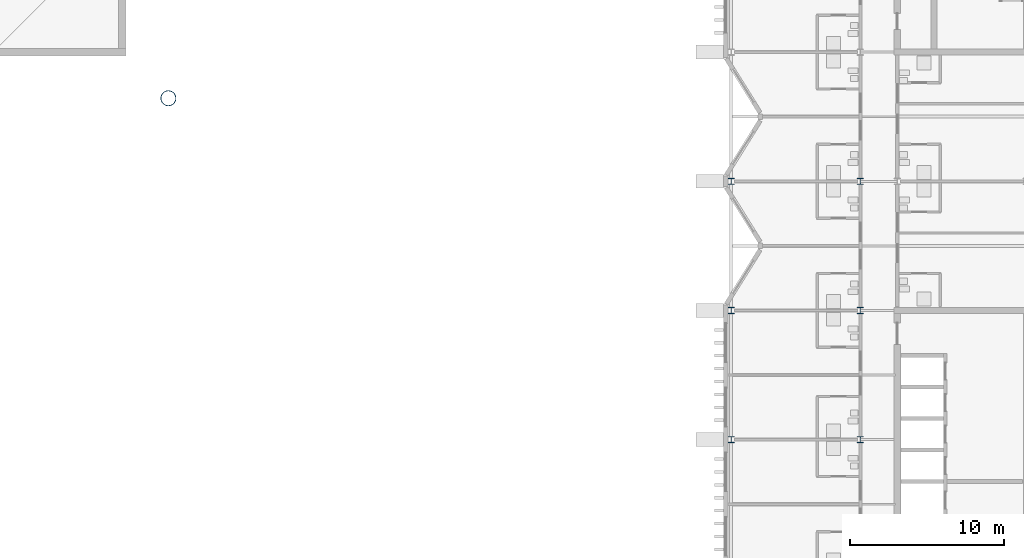
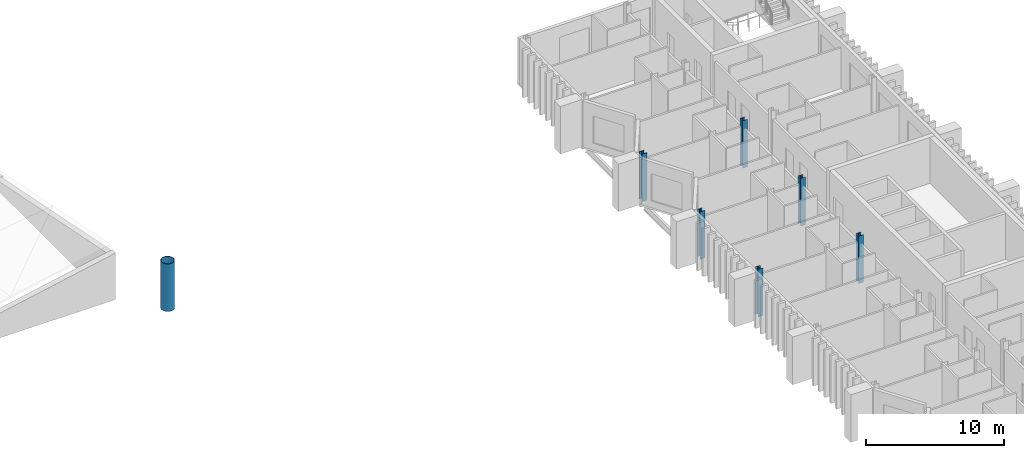
# One storey, part 3 of 17: 7 columns.
"""IFC4 building model written with IfcOpenShell, lengths in metres."""

import ifcopenshell
import ifcopenshell.guid

model = None  # the IFC model being written
_history = None  # IfcOwnerHistory: only IFC2X3 demands one
_inside = {}  # id of a spatial element -> (the spatial element, [elements in it])
_under = {}  # id of a project, library or spatial element -> (it, [spatial elements below it])
_declared = {}  # id of a project -> (the project, [libraries it declares])
_typed = {}  # id of a type object -> (the type object, [elements of that type])
_made_of = {}  # id of a material, layer set ... -> (it, [elements and type objects made of it])


def new_model(schema):
    """Start an empty IFC model of exactly this schema.

    Asked for "IFC4X3", IfcOpenShell would pick the latest addendum, in which some entities
    have other attributes; the version numbers below select the first issue.
    IFC2X3 requires an IfcOwnerHistory on every rooted entity: one is made here for all.
    """
    global model, _history
    if schema == "IFC4X3":
        model = ifcopenshell.file(schema_version=(4, 3, 0, 0))
    else:
        model = ifcopenshell.file(schema=schema)
    _inside.clear()
    _under.clear()
    _declared.clear()
    _typed.clear()
    _made_of.clear()
    _history = None
    if model.schema == "IFC2X3":
        org = make("IfcOrganization", Name="unknown")
        user = make(
            "IfcPersonAndOrganization",
            ThePerson=make("IfcPerson", FamilyName="unknown"),
            TheOrganization=org,
        )
        app = make(
            "IfcApplication",
            ApplicationDeveloper=org,
            Version="unknown",
            ApplicationFullName="unknown",
            ApplicationIdentifier="unknown",
        )
        _history = make(
            "IfcOwnerHistory",
            OwningUser=user,
            OwningApplication=app,
            ChangeAction="ADDED",
            CreationDate=0,
        )
    return model


def make(cls, **values):
    """One entity of the class cls with the attributes given. An attribute that is None is left unset."""
    return model.create_entity(
        cls, **{name: value for name, value in values.items() if value is not None}
    )


def rooted(cls, **values):
    """An entity with a GlobalId (a new one), such as an element, a storey or a relation."""
    return make(cls, GlobalId=ifcopenshell.guid.new(), OwnerHistory=_history, **values)


def si_unit(unit_type, name, prefix=None):
    """IfcSIUnit, for example si_unit("LENGTHUNIT", "METRE", prefix="MILLI")."""
    return make("IfcSIUnit", UnitType=unit_type, Prefix=prefix, Name=name)


def assignment(units):
    """IfcUnitAssignment: the units of a project."""
    return None if units is None else make("IfcUnitAssignment", Units=units)


def point(xyz):
    """IfcCartesianPoint."""
    return None if xyz is None else make("IfcCartesianPoint", Coordinates=xyz)


def direction(xyz):
    """IfcDirection."""
    return None if xyz is None else make("IfcDirection", DirectionRatios=xyz)


def frame(location, z_axis=None, x_axis=None):
    """IfcAxis2Placement3D, a coordinate frame: its origin and axes. An axis left out is left unset."""
    return make(
        "IfcAxis2Placement3D",
        Location=point(location),
        Axis=direction(z_axis),
        RefDirection=direction(x_axis),
    )


def frame_2d(location, x_axis=None):
    """IfcAxis2Placement2D, a coordinate frame in the plane: its origin and x axis."""
    return make(
        "IfcAxis2Placement2D", Location=point(location), RefDirection=direction(x_axis)
    )


def origin():
    """The frame at (0, 0, 0) with its axes left unset."""
    return frame((0.0, 0.0, 0.0))


def origin_2d():
    """The frame at (0, 0) in the plane with its x axis left unset."""
    return frame_2d((0.0, 0.0))


def place(relative_to, where):
    """IfcLocalPlacement: puts the frame where relative to a parent placement (None: the world)."""
    return make(
        "IfcLocalPlacement", PlacementRelTo=relative_to, RelativePlacement=where
    )


def context(
    kind, dimensions, precision=None, world=None, true_north=None, identifier=None
):
    """IfcGeometricRepresentationContext, for example the 3D "Model" context."""
    return make(
        "IfcGeometricRepresentationContext",
        ContextIdentifier=identifier,
        ContextType=kind,
        CoordinateSpaceDimension=dimensions,
        Precision=precision,
        WorldCoordinateSystem=world,
        TrueNorth=true_north,
    )


def subcontext(parent, identifier, kind, view, scale=None):
    """IfcGeometricRepresentationSubContext, for example "Body" below "Model"."""
    return make(
        "IfcGeometricRepresentationSubContext",
        ContextIdentifier=identifier,
        ContextType=kind,
        ParentContext=parent,
        TargetScale=scale,
        TargetView=view,
    )


def project(units=None, contexts=None):
    """IfcProject with its units and contexts."""
    return rooted(
        "IfcProject",
        Name="project",
        RepresentationContexts=contexts,
        UnitsInContext=assignment(units),
    )


def spatial(cls, under=None, at=None, **own):
    """A site, building, storey or space (cls), placed at a placement, below another one or the project."""
    s = rooted(cls, ObjectPlacement=at, **own)
    if under is not None:
        _under.setdefault(under.id(), (under, []))[1].append(s)
    return s


def profile(cls, at=None, kind="AREA", **sizes):
    """A parametric profile (cls). Its sizes go by their IFC names, for example OverallWidth=200.0."""
    return make(cls, ProfileType=kind, Position=at, **sizes)


def hollow_circle(**sizes):
    """IfcCircleHollowProfileDef."""
    return profile("IfcCircleHollowProfileDef", **sizes)


def i_section(**sizes):
    """IfcIShapeProfileDef."""
    return profile("IfcIShapeProfileDef", **sizes)


def extrude(swept, where, along, depth):
    """IfcExtrudedAreaSolid: the profile swept, set in the frame where, extruded along a direction by depth."""
    return make(
        "IfcExtrudedAreaSolid",
        SweptArea=swept,
        Position=where,
        ExtrudedDirection=direction(along),
        Depth=depth,
    )


def shape(context_of_items, identifier, shape_type, items):
    """IfcShapeRepresentation: the items that make up one representation, for example the "Body"."""
    return make(
        "IfcShapeRepresentation",
        ContextOfItems=context_of_items,
        RepresentationIdentifier=identifier,
        RepresentationType=shape_type,
        Items=items,
    )


def material(Name=None, Category=None):
    """IfcMaterial."""
    return make("IfcMaterial", Name=Name, Category=Category)


def material_profile(
    of_material, cross_section, Name=None, Category=None, Priority=None
):
    """IfcMaterialProfile: a cross section and its material."""
    return make(
        "IfcMaterialProfile",
        Name=Name,
        Material=of_material,
        Profile=cross_section,
        Priority=Priority,
        Category=Category,
    )


def profile_set(profiles, Name=None, composite=None):
    """IfcMaterialProfileSet."""
    return make(
        "IfcMaterialProfileSet",
        Name=Name,
        MaterialProfiles=profiles,
        CompositeProfile=composite,
    )


def made_of(thing, what):
    """Note that an element or type object is made of a material, layer set ...; save() writes the relation."""
    if what is not None:
        _made_of.setdefault(what.id(), (what, []))[1].append(thing)
    return thing


def type_object(cls, material=None, **own):
    """A type object (cls), such as IfcWallType, which elements share."""
    return made_of(rooted(cls, **own), material)


def element(
    cls,
    number,
    at=None,
    inside=None,
    cuts=None,
    type_object=None,
    material=None,
    context=None,
    identifier="Body",
    shape_type=None,
    held_by="IfcProductDefinitionShape",
    body=None,
    shapes=None,
    **own,
):
    """One element of the class cls, such as IfcWall. Its Tag is "e" and its number.

    at: its placement. inside: the storey or other place that contains it. cuts: it is an
    opening in that element (IfcRelVoidsElement). A single representation is given by context,
    identifier, shape_type and body (its items); several are given by shapes. held_by: the class
    of the entity that holds the representations. save() writes the other relations.
    """
    e = rooted(cls, Tag="e%d" % number, ObjectPlacement=at, **own)
    if body is not None:
        shapes = [shape(context, identifier, shape_type, body)]
    if shapes is not None:
        e.Representation = make(held_by, Representations=shapes)
    if inside is not None:
        _inside.setdefault(inside.id(), (inside, []))[1].append(e)
    if cuts is not None:
        rooted(
            "IfcRelVoidsElement", RelatingBuildingElement=cuts, RelatedOpeningElement=e
        )
    if type_object is not None:
        _typed.setdefault(type_object.id(), (type_object, []))[1].append(e)
    return made_of(e, material)


def aggregate(whole, parts):
    """IfcRelAggregates: a whole, such as a stair, and the parts it consists of."""
    return rooted("IfcRelAggregates", RelatingObject=whole, RelatedObjects=parts)


def save(model, path):
    """Write the relations noted so far, then the file.

    IfcRelAggregates (storeys below a building ...), IfcRelContainedInSpatialStructure (elements
    in a storey), IfcRelDefinesByType, IfcRelAssociatesMaterial and IfcRelDeclares: one each for
    every whole, place, type object, material and project.
    """
    for whole, parts in _under.values():
        aggregate(whole, parts)
    for where, things in _inside.values():
        rooted(
            "IfcRelContainedInSpatialStructure",
            RelatedElements=things,
            RelatingStructure=where,
        )
    for kind, things in _typed.values():
        rooted("IfcRelDefinesByType", RelatedObjects=things, RelatingType=kind)
    for what, things in _made_of.values():
        rooted("IfcRelAssociatesMaterial", RelatedObjects=things, RelatingMaterial=what)
    for by, libraries in _declared.values():
        rooted("IfcRelDeclares", RelatingContext=by, RelatedDefinitions=libraries)
    model.write(path)


model = new_model("IFC4")

# Units and contexts
model_context = context("Model", 3, precision=1e-05, world=origin(), true_north=direction((0.0, 1.0)))
body_context = subcontext(model_context, "Body", "Model", "MODEL_VIEW")
ifc_project = project(units=[si_unit("LENGTHUNIT", "METRE"), si_unit("AREAUNIT", "SQUARE_METRE"), si_unit("VOLUMEUNIT", "CUBIC_METRE"), si_unit("PLANEANGLEUNIT", "RADIAN"), si_unit("MASSUNIT", "GRAM", prefix="KILO")], contexts=[model_context])

# Site, building, storey
site_placement = place(None, origin())
site = spatial("IfcSite", under=ifc_project, at=site_placement, CompositionType="ELEMENT")
building_placement = place(site_placement, origin())
building = spatial("IfcBuilding", under=site, at=building_placement, Name="Cresset Court Congress Hotel", CompositionType="ELEMENT")
storey_placement = place(building_placement, frame((0.0, 0.0, 31.199951171875)))
storey = spatial("IfcBuildingStorey", under=building, at=storey_placement, Name="L07", CompositionType="ELEMENT", Elevation=31.199951171875)

# Columns
ifc_material_1 = material(Name="Structural steel Q355B", Category="steel")
ifc_material_profile_1 = material_profile(ifc_material_1, hollow_circle(Radius=0.508056640625, WallThickness=0.050048828125, at=origin_2d()), Name="CHS1016x50")
ifc_profile_set_1 = profile_set([ifc_material_profile_1], Name="Structural steel Q355B")
column_type_1 = type_object("IfcColumnType", Name="Mast tube 1016x50", PredefinedType="COLUMN", material=ifc_profile_set_1)
column_placement = place(storey_placement, frame((120.60009765625, 55.800048828125, 0.0), z_axis=(0.0, 0.0, 1.0), x_axis=(1.0, 0.0, 0.0)))
element("IfcColumn", 1, at=column_placement, inside=storey, type_object=column_type_1, Name="Mast M2", PredefinedType="COLUMN", context=body_context, shape_type="SweptSolid", body=[
    extrude(hollow_circle(Radius=0.508056640625, WallThickness=0.050048828125, at=origin_2d()), origin(), (0.0, 0.0, 1.0), 4.199951171875),
])
ifc_material_2 = material(Name="Structural steel Q355B", Category="steel")
ifc_material_profile_2 = material_profile(ifc_material_2, i_section(OverallWidth=0.39990234375, OverallDepth=0.39990234375, WebThickness=0.012939453125, FlangeThickness=0.02099609375, FilletRadius=0.02197265625, at=origin_2d()), Name="HW400x400x13x21")
ifc_profile_set_2 = profile_set([ifc_material_profile_2], Name="Structural steel Q355B")
column_type_2 = type_object("IfcColumnType", Name="Steel column HW400x400x13x21", PredefinedType="COLUMN", material=ifc_profile_set_2)
for number, where, z_axis, x_axis, name in (
    (2, (157.199951171875, 33.60009765625, 0.0), (0.0, 0.0, 1.0), (1.0, 0.0, 0.0), "Column L07 5-20"),
    (3, (157.199951171875, 42.0, 0.0), (0.0, 0.0, 1.0), (1.0, 0.0, 0.0), "Column L07 6-20"),
    (4, (157.199951171875, 50.39990234375, 0.0), (0.0, 0.0, 1.0), (1.0, 0.0, 0.0), "Column L07 7-20"),
    (5, (165.60009765625, 33.60009765625, 0.0), (0.0, 0.0, 1.0), (1.0, 0.0, 0.0), "Column L07 5-21"),
    (6, (165.60009765625, 42.0, 0.0), (0.0, 0.0, 1.0), (1.0, 0.0, 0.0), "Column L07 6-21"),
    (7, (165.60009765625, 50.39990234375, 0.0), (0.0, 0.0, 1.0), (1.0, 0.0, 0.0), "Column L07 7-21"),
):
    element("IfcColumn", number, at=place(storey_placement, frame(where, z_axis=z_axis, x_axis=x_axis)), inside=storey, type_object=column_type_2, Name=name, PredefinedType="COLUMN", context=body_context, shape_type="SweptSolid", body=[
        extrude(i_section(OverallWidth=0.39990234375, OverallDepth=0.39990234375, WebThickness=0.012939453125, FlangeThickness=0.02099609375, FilletRadius=0.02197265625, at=origin_2d()), origin(), (0.0, 0.0, 1.0), 4.199951171875),
    ])

save(model, "model.ifc")
